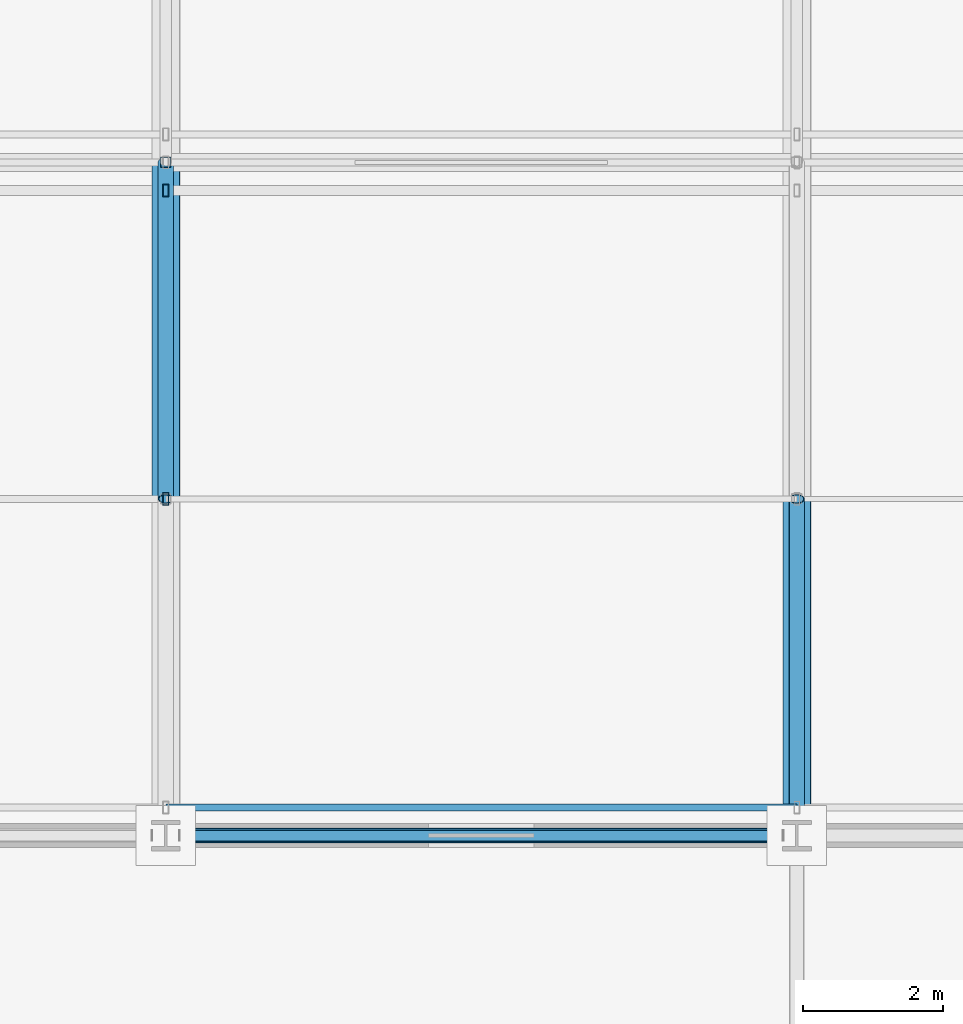
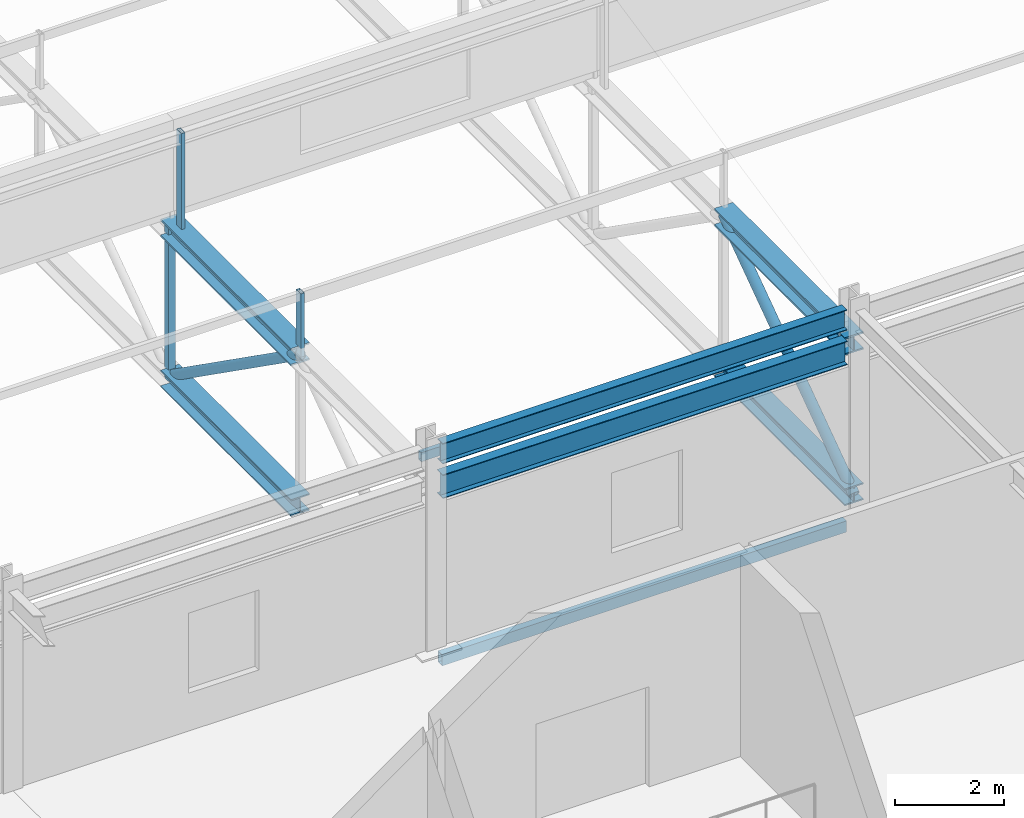
# One storey, part 27 of 136: 7 beams, 6 members.
"""IFC4 building model written with IfcOpenShell, lengths in metres."""

from ifc_helpers import new_model, si_unit, direction, frame, origin, origin_2d, place, context, subcontext, project, spatial, hollow_rectangle, hollow_circle, i_section, extrude, material, material_profile, profile_set, type_object, element, save


model = new_model("IFC4")

# Units and contexts
model_context = context("Model", 3, precision=1e-05, world=origin(), true_north=direction((0.0, 1.0)))
body_context = subcontext(model_context, "Body", "Model", "MODEL_VIEW")
ifc_project = project(units=[si_unit("LENGTHUNIT", "METRE"), si_unit("AREAUNIT", "SQUARE_METRE"), si_unit("VOLUMEUNIT", "CUBIC_METRE"), si_unit("PLANEANGLEUNIT", "RADIAN"), si_unit("MASSUNIT", "GRAM", prefix="KILO")], contexts=[model_context])

# Site, building, storey
site_placement = place(None, origin())
site = spatial("IfcSite", under=ifc_project, at=site_placement, CompositionType="ELEMENT")
building_placement = place(site_placement, origin())
building = spatial("IfcBuilding", under=site, at=building_placement, Name="Kisiwana Market Hall", CompositionType="ELEMENT")
storey_placement = place(building_placement, frame((0.0, 0.0, 16.800048828125)))
storey = spatial("IfcBuildingStorey", under=building, at=storey_placement, Name="L03", CompositionType="ELEMENT", Elevation=16.800048828125)

# Beams
ifc_material_1 = material(Name="Steel S355", Category="steel")
ifc_material_profile_1 = material_profile(ifc_material_1, i_section(OverallWidth=0.19140625, OverallDepth=0.4599609375, WebThickness=0.010009765625, FlangeThickness=0.01611328125, at=origin_2d()), Name="UB 457x191x82")
ifc_profile_set_1 = profile_set([ifc_material_profile_1], Name="Steel S355")
beam_type_1 = type_object("IfcBeamType", Name="BM-GIRD-UB457H", PredefinedType="BEAM", material=ifc_profile_set_1)
beam_1_placement = place(storey_placement, frame((108.201904296875, 36.0, 4.27783203125), z_axis=(1.0, 0.0, 0.0), x_axis=(0.0, 1.0, 0.0)))
element("IfcBeam", 1, at=beam_1_placement, inside=storey, type_object=beam_type_1, Name="Roof girder B-1142", PredefinedType="BEAM", context=body_context, shape_type="SweptSolid", body=[
    extrude(i_section(OverallWidth=0.19140625, OverallDepth=0.4599609375, WebThickness=0.010009765625, FlangeThickness=0.01611328125, at=origin_2d()), origin(), (0.0, 0.0, 1.0), 8.59619140625),
])
ifc_material_2 = material(Name="Steel S355", Category="steel")
ifc_material_profile_2 = material_profile(ifc_material_2, i_section(OverallWidth=0.209228515625, OverallDepth=0.533203125, WebThickness=0.010009765625, FlangeThickness=0.015625, at=origin_2d()), Name="UB 533x210x92")
ifc_profile_set_2 = profile_set([ifc_material_profile_2], Name="Steel S355")
beam_type_2 = type_object("IfcBeamType", Name="BM-GIRD-UB533", PredefinedType="BEAM", material=ifc_profile_set_2)
beam_2_placement = place(storey_placement, frame((108.199951171875, 36.0, 3.54345703125), z_axis=(1.0, 0.0, 0.0), x_axis=(0.0, 1.0, 0.0)))
element("IfcBeam", 2, at=beam_2_placement, inside=storey, type_object=beam_type_2, Name="Truss eaves tie B-1171", PredefinedType="BEAM", context=body_context, shape_type="SweptSolid", body=[
    extrude(i_section(OverallWidth=0.209228515625, OverallDepth=0.533203125, WebThickness=0.010009765625, FlangeThickness=0.015625, at=origin_2d()), origin(), (0.0, 0.0, 1.0), 8.60009765625),
])
ifc_material_3 = material(Name="Steel S355", Category="steel")
ifc_material_profile_3 = material_profile(ifc_material_3, hollow_rectangle(XDim=0.14990234375, YDim=0.25, WallThickness=0.010009765625, at=origin_2d()), Name="RHS 250x150x10.0")
ifc_profile_set_3 = profile_set([ifc_material_profile_3], Name="Steel S355")
beam_type_3 = type_object("IfcBeamType", Name="BM-SPAN-RHS250", PredefinedType="SPANDREL", material=ifc_profile_set_3)
beam_3_placement = place(storey_placement, frame((108.201904296875, 36.0, -0.375), z_axis=(1.0, 0.0, 0.0), x_axis=(0.0, 1.0, 0.0)))
element("IfcBeam", 3, at=beam_3_placement, inside=storey, type_object=beam_type_3, Name="Floor beam B-1016", PredefinedType="SPANDREL", context=body_context, shape_type="SweptSolid", body=[
    extrude(hollow_rectangle(XDim=0.14990234375, YDim=0.25, WallThickness=0.010009765625, at=origin_2d()), origin(), (0.0, 0.0, 1.0), 8.59619140625),
])
ifc_material_4 = material(Name="Steel S355", Category="steel")
ifc_material_profile_4 = material_profile(ifc_material_4, i_section(OverallWidth=0.394775390625, OverallDepth=0.381103515625, WebThickness=0.018310546875, FlangeThickness=0.0302734375, at=origin_2d()), Name="UC 356x406x235")
ifc_profile_set_4 = profile_set([ifc_material_profile_4], Name="Steel S355")
beam_type_4 = type_object("IfcBeamType", Name="BM-TRUSS-BOT", PredefinedType="USERDEFINED", material=ifc_profile_set_4)
for number, where, z_axis, x_axis, name in (
    (4, (108.0, 40.800048828125, 0.22998046875), (0.0, 1.0, 0.0), (-1.0, 0.0, 0.0), "TR-05 BC panel 2 B-1259"),
    (5, (117.0, 36.0, 0.22998046875), (0.0, 1.0, 0.0), (-1.0, 0.0, 0.0), "TR-06 BC panel 1 B-1277"),
):
    element("IfcBeam", number, at=place(storey_placement, frame(where, z_axis=z_axis, x_axis=x_axis)), inside=storey, type_object=beam_type_4, Name=name, ObjectType="ROOF TRUSS", PredefinedType="USERDEFINED", context=body_context, shape_type="SweptSolid", body=[
        extrude(i_section(OverallWidth=0.394775390625, OverallDepth=0.381103515625, WebThickness=0.018310546875, FlangeThickness=0.0302734375, at=origin_2d()), origin(), (0.0, 0.0, 1.0), 4.800048828125),
    ])
ifc_material_5 = material(Name="Steel S355", Category="steel")
ifc_material_profile_5 = material_profile(ifc_material_5, i_section(OverallWidth=0.39892578125, OverallDepth=0.3935546875, WebThickness=0.022705078125, FlangeThickness=0.03662109375, at=origin_2d()), Name="UC 356x406x287")
ifc_profile_set_5 = profile_set([ifc_material_profile_5], Name="Steel S355")
beam_type_5 = type_object("IfcBeamType", Name="BM-TRUSS-TOP", PredefinedType="USERDEFINED", material=ifc_profile_set_5)
for number, where, z_axis, x_axis, name in (
    (6, (108.0, 40.800048828125, 3.619873046875), (0.0, 1.0, 0.0), (-1.0, 0.0, 0.0), "TR-05 TC panel 2 B-1269"),
    (7, (117.0, 36.0, 3.619873046875), (0.0, 1.0, 0.0), (-1.0, 0.0, 0.0), "TR-06 TC panel 1 B-1287"),
):
    element("IfcBeam", number, at=place(storey_placement, frame(where, z_axis=z_axis, x_axis=x_axis)), inside=storey, type_object=beam_type_5, Name=name, ObjectType="ROOF TRUSS", PredefinedType="USERDEFINED", context=body_context, shape_type="SweptSolid", body=[
        extrude(i_section(OverallWidth=0.39892578125, OverallDepth=0.3935546875, WebThickness=0.022705078125, FlangeThickness=0.03662109375, at=origin_2d()), origin(), (0.0, 0.0, 1.0), 4.800048828125),
    ])

# Members
ifc_material_6 = material(Name="Steel S355", Category="steel")
ifc_material_profile_6 = material_profile(ifc_material_6, hollow_rectangle(XDim=0.080078125, YDim=0.179931640625, WallThickness=0.00634765625, at=origin_2d()), Name="RHS 180x80x6.3")
ifc_profile_set_6 = profile_set([ifc_material_profile_6], Name="Steel S355")
member_type_1 = type_object("IfcMemberType", Name="MB-CAN-STRUT", PredefinedType="STRUT", material=ifc_profile_set_6)
member_1_placement = place(storey_placement, frame((108.0, 45.199951171875, 3.619873046875), z_axis=(0.0, 0.0, 1.0), x_axis=(1.0, 0.0, 0.0)))
element("IfcMember", 8, at=member_1_placement, inside=storey, type_object=member_type_1, Name="Sawtooth raker post 166 M-0237", PredefinedType="STRUT", context=body_context, shape_type="SweptSolid", body=[
    extrude(hollow_rectangle(XDim=0.080078125, YDim=0.179931640625, WallThickness=0.00634765625, at=origin_2d()), origin(), (0.0, 0.0, 1.0), 2.355712890625),
])
member_2_placement = place(storey_placement, frame((108.0, 40.800048828125, 3.619873046875), z_axis=(0.0, 0.0, 1.0), x_axis=(1.0, 0.0, 0.0)))
element("IfcMember", 9, at=member_2_placement, inside=storey, type_object=member_type_1, Name="Sawtooth mid-slope raker post 5 M-0057", PredefinedType="STRUT", context=body_context, shape_type="SweptSolid", body=[
    extrude(hollow_rectangle(XDim=0.080078125, YDim=0.179931640625, WallThickness=0.00634765625, at=origin_2d()), origin(), (0.0, 0.0, 1.0), 1.42041015625),
])
ifc_material_7 = material(Name="Steel S355", Category="steel")
ifc_material_profile_7 = material_profile(ifc_material_7, hollow_rectangle(XDim=0.10009765625, YDim=0.199951171875, WallThickness=0.008056640625, at=origin_2d()), Name="RHS 200x100x8.0")
ifc_profile_set_7 = profile_set([ifc_material_profile_7], Name="Steel S355")
member_type_2 = type_object("IfcMemberType", Name="MB-ROOF-PURLIN1", PredefinedType="PURLIN", material=ifc_profile_set_7)
member_3_placement = place(storey_placement, frame((108.0, 36.39990234375, 4.0009765625), z_axis=(1.0, 0.0, 0.0), x_axis=(0.0, 1.0, 0.0)))
element("IfcMember", 10, at=member_3_placement, inside=storey, type_object=member_type_2, Name="Sawtooth roof purlin 189 M-0138", PredefinedType="PURLIN", context=body_context, shape_type="SweptSolid", body=[
    extrude(hollow_rectangle(XDim=0.10009765625, YDim=0.199951171875, WallThickness=0.008056640625, at=origin_2d()), origin(), (0.0, 0.0, 1.0), 9.0),
])
ifc_material_8 = material(Name="Steel S355", Category="steel")
ifc_material_profile_8 = material_profile(ifc_material_8, hollow_circle(Radius=0.109619140625, WallThickness=0.012451171875, at=origin_2d()), Name="CHS 219.1x12.5")
ifc_profile_set_8 = profile_set([ifc_material_profile_8], Name="Steel S355")
member_type_3 = type_object("IfcMemberType", Name="MB-TR-DIAG219", PredefinedType="BRACE", material=ifc_profile_set_8)
for number, where, z_axis, x_axis, name in (
    (11, (108.0, 40.800048828125, 3.619873046875), (0.0, 0.816837735077, -0.576867501732), (-1.0, 0.0, 0.0), "TR-05 diagonal 2 M-0413"),
    (12, (117.0, 36.0, 0.22998046875), (0.0, 0.816837735077, 0.576867501732), (-1.0, 0.0, 0.0), "TR-06 diagonal 1 M-0430"),
):
    element("IfcMember", number, at=place(storey_placement, frame(where, z_axis=z_axis, x_axis=x_axis)), inside=storey, type_object=member_type_3, Name=name, PredefinedType="BRACE", context=body_context, shape_type="SweptSolid", body=[
        extrude(hollow_circle(Radius=0.109619140625, WallThickness=0.012451171875, at=origin_2d()), origin(), (0.0, 0.0, 1.0), 5.87646484375),
    ])
ifc_material_9 = material(Name="Steel S355", Category="steel")
ifc_material_profile_9 = material_profile(ifc_material_9, hollow_rectangle(XDim=0.14990234375, YDim=0.14990234375, WallThickness=0.008056640625, at=origin_2d()), Name="SHS 150x150x8.0")
ifc_profile_set_9 = profile_set([ifc_material_profile_9], Name="Steel S355")
member_type_4 = type_object("IfcMemberType", Name="MB-TR-STRUT200", PredefinedType="STRUT", material=ifc_profile_set_9)
member_4_placement = place(storey_placement, frame((108.0, 45.60009765625, 0.22998046875), z_axis=(0.0, 0.0, 1.0), x_axis=(1.0, 0.0, 0.0)))
element("IfcMember", 13, at=member_4_placement, inside=storey, type_object=member_type_4, Name="TR-05 vertical strut 3 M-0423", PredefinedType="STRUT", context=body_context, shape_type="SweptSolid", body=[
    extrude(hollow_rectangle(XDim=0.14990234375, YDim=0.14990234375, WallThickness=0.008056640625, at=origin_2d()), origin(), (0.0, 0.0, 1.0), 3.389892578125),
])

save(model, "model.ifc")
